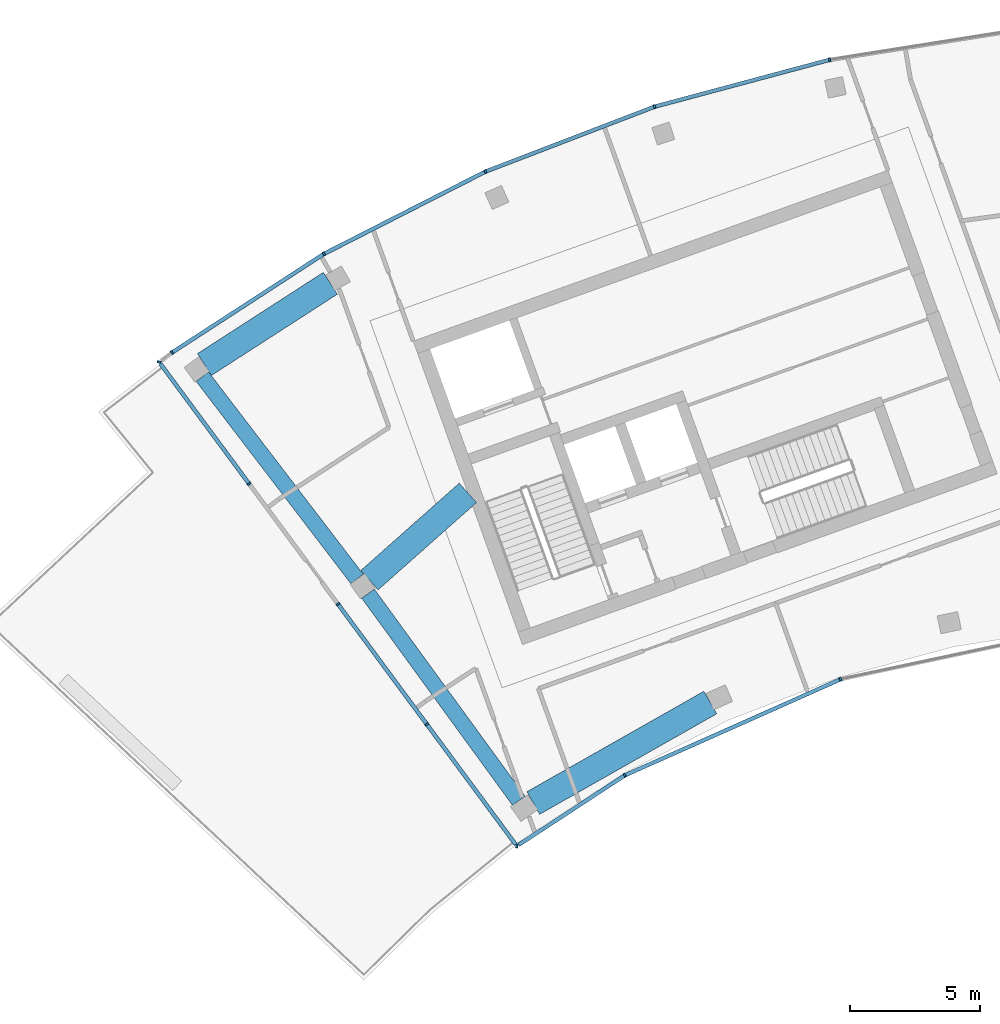
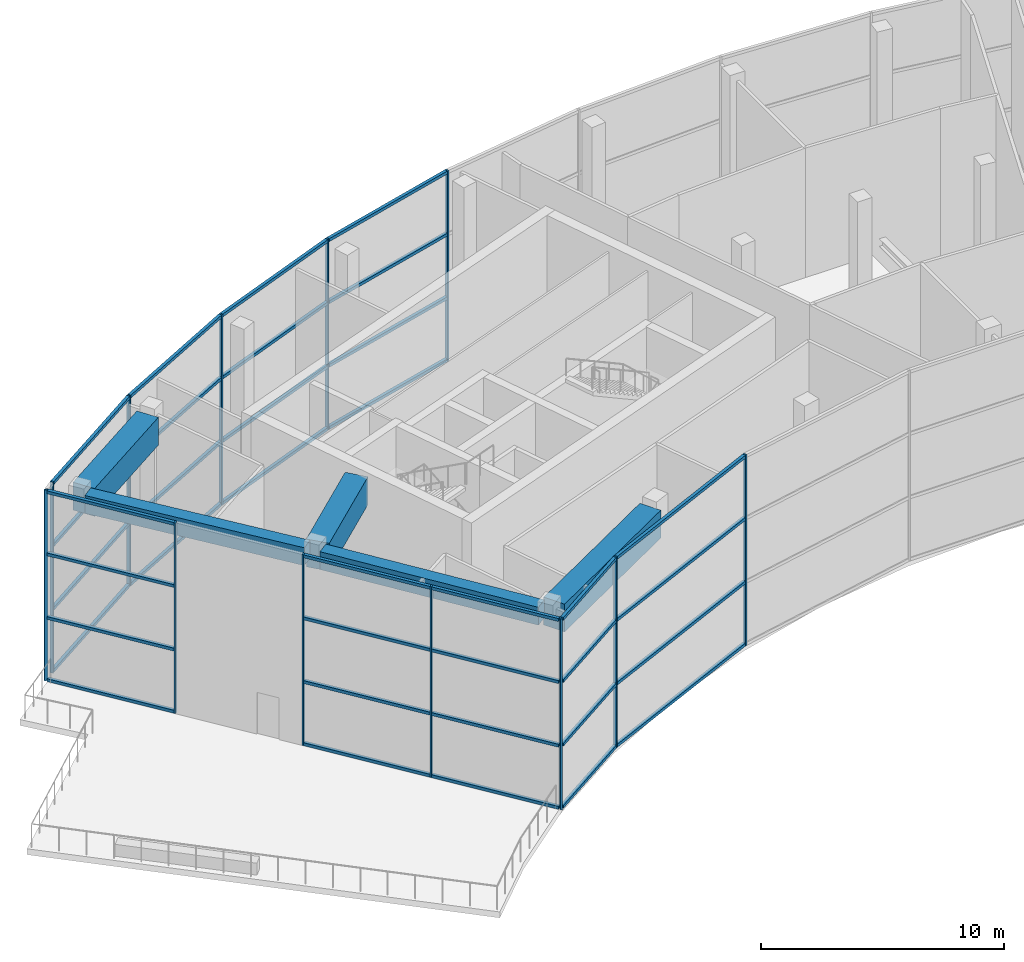
# One storey, part 4 of 20: 48 members, 5 beams, 3 elements without a shape of their own.
"""IFC4 building model written with IfcOpenShell, lengths in metres."""

from ifc_helpers import new_model, si_unit, direction, frame, origin, origin_2d, place, context, subcontext, project, spatial, rectangle, extrude, material, layer, layer_set, material_profile, profile_set, type_object, element, aggregate, save


model = new_model("IFC4")

# Units and contexts
model_context = context("Model", 3, precision=1e-05, world=origin(), true_north=direction((0.0, 1.0)))
body_context = subcontext(model_context, "Body", "Model", "MODEL_VIEW")
ifc_project = project(units=[si_unit("LENGTHUNIT", "METRE"), si_unit("AREAUNIT", "SQUARE_METRE"), si_unit("VOLUMEUNIT", "CUBIC_METRE"), si_unit("PLANEANGLEUNIT", "RADIAN"), si_unit("MASSUNIT", "GRAM", prefix="KILO")], contexts=[model_context])

# Site, building, storey
site_placement = place(None, origin())
site = spatial("IfcSite", under=ifc_project, at=site_placement, CompositionType="ELEMENT")
building_placement = place(site_placement, origin())
building = spatial("IfcBuilding", under=site, at=building_placement, Name="Stone Belt Terrace Tower", CompositionType="ELEMENT")
storey_placement = place(building_placement, frame((0.0, 0.0, 323.0)))
storey = spatial("IfcBuildingStorey", under=building, at=storey_placement, Name="L78", CompositionType="ELEMENT", Elevation=323.0)

# Curtain wall, members
ifc_material_1 = material(Name="Aluminium 6063-T6 anodised frame", Category="aluminium")
ifc_layer = layer(ifc_material_1, 0.14990234375)
ifc_layer_set = layer_set([ifc_layer], Name="CW-E conservatory and damper hall curtain wall")
curtain_wall_type = type_object("IfcCurtainWallType", Name="CW-E conservatory and damper hall curtain wall", PredefinedType="NOTDEFINED", material=ifc_layer_set)
curtain_wall_1_placement = place(storey_placement, origin())
curtain_wall_1 = element("IfcCurtainWall", 1, at=curtain_wall_1_placement, inside=storey, type_object=curtain_wall_type, Name="CW-E concave face L78", PredefinedType="NOTDEFINED")
ifc_material_profile_1 = material_profile(ifc_material_1, rectangle(XDim=0.14990234375, YDim=0.080078125, at=origin_2d()), Name="Aluminium 6063-T6 80x150")
ifc_profile_set_1 = profile_set([ifc_material_profile_1], Name="Aluminium 6063-T6 anodised frame")
member_type_1 = type_object("IfcMemberType", Name="CW-E mullion 80 x 150", PredefinedType="MULLION", material=ifc_profile_set_1)
member_1_placement = place(storey_placement, frame((-25.869140625, 34.8837890625, 0.0), z_axis=(0.0, 0.0, 1.0), x_axis=(0.17629945197, 0.984336580259, 0.0)))
member_1 = element("IfcMember", 2, at=member_1_placement, type_object=member_type_1, Name="CW-E mullion 1", PredefinedType="MULLION", context=body_context, shape_type="SweptSolid", body=[
    extrude(rectangle(XDim=0.14990234375, YDim=0.080078125, at=origin_2d()), origin(), (0.0, 0.0, 1.0), 9.60009765625),
])
member_2_placement = place(storey_placement, frame((-21.7138671875, 37.60595703125, 0.0), z_axis=(0.0, 0.0, 1.0), x_axis=(-0.478925338091, 0.877855637639, 0.0)))
member_2 = element("IfcMember", 3, at=member_2_placement, type_object=member_type_1, Name="CW-E mullion 2", PredefinedType="MULLION", context=body_context, shape_type="SweptSolid", body=[
    extrude(rectangle(XDim=0.14990234375, YDim=0.080078125, at=origin_2d()), origin(), (0.0, 0.0, 1.0), 9.60009765625),
])
member_3_placement = place(storey_placement, frame((-13.4189453125, 41.29931640625, 0.0), z_axis=(0.0, 0.0, 1.0), x_axis=(-0.309016994375, 0.951056516295, 0.0)))
member_3 = element("IfcMember", 4, at=member_3_placement, type_object=member_type_1, Name="CW-E mullion 3", PredefinedType="MULLION", context=body_context, shape_type="SweptSolid", body=[
    extrude(rectangle(XDim=0.14990234375, YDim=0.080078125, at=origin_2d()), origin(), (0.0, 0.0, 1.0), 9.60009765625),
])

curtain_wall_2_placement = place(storey_placement, origin())
curtain_wall_2 = element("IfcCurtainWall", 5, at=curtain_wall_2_placement, inside=storey, type_object=curtain_wall_type, Name="CW-E convex face L78", PredefinedType="NOTDEFINED")
member_4_placement = place(storey_placement, frame((-13.841796875, 65.120361328125, 0.0), z_axis=(0.0, 0.0, 1.0), x_axis=(0.207911690818, -0.978147600734, 0.0)))
member_4 = element("IfcMember", 6, at=member_4_placement, type_object=member_type_1, Name="CW-E mullion 10", PredefinedType="MULLION", context=body_context, shape_type="SweptSolid", body=[
    extrude(rectangle(XDim=0.14990234375, YDim=0.080078125, at=origin_2d()), origin(), (0.0, 0.0, 1.0), 9.60009765625),
])
member_5_placement = place(storey_placement, frame((-20.57275390625, 63.316650390625, 0.0), z_axis=(0.0, 0.0, 1.0), x_axis=(0.309016994375, -0.951056516295, 0.0)))
member_5 = element("IfcMember", 7, at=member_5_placement, type_object=member_type_1, Name="CW-E mullion 11", PredefinedType="MULLION", context=body_context, shape_type="SweptSolid", body=[
    extrude(rectangle(XDim=0.14990234375, YDim=0.080078125, at=origin_2d()), origin(), (0.0, 0.0, 1.0), 9.60009765625),
])
member_6_placement = place(storey_placement, frame((-27.07861328125, 60.8193359375, 0.0), z_axis=(0.0, 0.0, 1.0), x_axis=(0.406736643076, -0.913545457643, 0.0)))
member_6 = element("IfcMember", 8, at=member_6_placement, type_object=member_type_1, Name="CW-E mullion 12", PredefinedType="MULLION", context=body_context, shape_type="SweptSolid", body=[
    extrude(rectangle(XDim=0.14990234375, YDim=0.080078125, at=origin_2d()), origin(), (0.0, 0.0, 1.0), 9.60009765625),
])
member_7_placement = place(storey_placement, frame((-33.28759765625, 57.65576171875, 0.0), z_axis=(0.0, 0.0, 1.0), x_axis=(0.5, -0.866025403784, 0.0)))
member_7 = element("IfcMember", 9, at=member_7_placement, type_object=member_type_1, Name="CW-E mullion 13", PredefinedType="MULLION", context=body_context, shape_type="SweptSolid", body=[
    extrude(rectangle(XDim=0.14990234375, YDim=0.080078125, at=origin_2d()), origin(), (0.0, 0.0, 1.0), 9.60009765625),
])
member_8_placement = place(storey_placement, frame((-39.13037109375, 53.861328125, 0.0), z_axis=(0.0, 0.0, 1.0), x_axis=(0.568062635751, -0.822985322994, 0.0)))
member_8 = element("IfcMember", 10, at=member_8_placement, type_object=member_type_1, Name="CW-E mullion 14", PredefinedType="MULLION", context=body_context, shape_type="SweptSolid", body=[
    extrude(rectangle(XDim=0.14990234375, YDim=0.080078125, at=origin_2d()), origin(), (0.0, 0.0, 1.0), 9.60009765625),
])

curtain_wall_3_placement = place(storey_placement, origin())
curtain_wall_3 = element("IfcCurtainWall", 11, at=curtain_wall_3_placement, inside=storey, type_object=curtain_wall_type, Name="CW-E end face L78", PredefinedType="NOTDEFINED")
member_9_placement = place(storey_placement, frame((-39.624267578125, 53.49951171875, 0.0), z_axis=(0.0, 0.0, 1.0), x_axis=(0.988614254338, -0.150472110772, 0.0)))
member_9 = element("IfcMember", 12, at=member_9_placement, type_object=member_type_1, Name="CW-E mullion 1", PredefinedType="MULLION", context=body_context, shape_type="SweptSolid", body=[
    extrude(rectangle(XDim=0.14990234375, YDim=0.080078125, at=origin_2d()), origin(), (0.0, 0.0, 1.0), 9.60009765625),
])
member_10_placement = place(storey_placement, frame((-36.16259765625, 48.814453125, 0.0), z_axis=(0.0, 0.0, 1.0), x_axis=(0.804262069781, 0.594274787545, 0.0)))
member_10 = element("IfcMember", 13, at=member_10_placement, type_object=member_type_1, Name="CW-E mullion 2", PredefinedType="MULLION", context=body_context, shape_type="SweptSolid", body=[
    extrude(rectangle(XDim=0.14990234375, YDim=0.080078125, at=origin_2d()), origin(), (0.0, 0.0, 1.0), 9.60009765625),
])
member_11_placement = place(storey_placement, frame((-32.745361328125, 44.18994140625, 0.0), z_axis=(0.0, 0.0, 1.0), x_axis=(0.804262069781, 0.594274787545, 0.0)))
member_11 = element("IfcMember", 14, at=member_11_placement, type_object=member_type_1, Name="CW-E mullion 3", PredefinedType="MULLION", context=body_context, shape_type="SweptSolid", body=[
    extrude(rectangle(XDim=0.14990234375, YDim=0.080078125, at=origin_2d()), origin(), (0.0, 0.0, 1.0), 9.60009765625),
])
member_12_placement = place(storey_placement, frame((-29.328369140625, 39.5654296875, 0.0), z_axis=(0.0, 0.0, 1.0), x_axis=(0.804262069781, 0.594274787545, 0.0)))
member_12 = element("IfcMember", 15, at=member_12_placement, type_object=member_type_1, Name="CW-E mullion 4", PredefinedType="MULLION", context=body_context, shape_type="SweptSolid", body=[
    extrude(rectangle(XDim=0.14990234375, YDim=0.080078125, at=origin_2d()), origin(), (0.0, 0.0, 1.0), 9.60009765625),
])

# Member
ifc_material_profile_2 = material_profile(ifc_material_1, rectangle(XDim=0.14990234375, YDim=0.14990234375, at=origin_2d()), Name="Aluminium 6063-T6 150x150")
ifc_profile_set_2 = profile_set([ifc_material_profile_2], Name="Aluminium 6063-T6 anodised frame")
member_type_2 = type_object("IfcMemberType", Name="CW-E transom 150 x 150", PredefinedType="USERDEFINED", material=ifc_profile_set_2)
member_13_placement = place(storey_placement, frame((-25.8017578125, 34.927978515625, 0.074951171875), z_axis=(0.836477073014, 0.548001921824, 0.0), x_axis=(-0.548001921824, 0.836477073014, 0.0)))
member_13 = element("IfcMember", 16, at=member_13_placement, type_object=member_type_2, Name="CW-E transom 1.1", ObjectType="TRANSOM", PredefinedType="USERDEFINED", context=body_context, shape_type="SweptSolid", body=[
    extrude(rectangle(XDim=0.14990234375, YDim=0.14990234375, at=origin_2d()), origin(), (0.0, 0.0, 1.0), 4.8408203125),
])

member_14_placement = place(storey_placement, frame((-25.8017578125, 34.927978515625, 3.199951171875), z_axis=(0.836477073014, 0.548001921824, 0.0), x_axis=(-0.548001921824, 0.836477073014, 0.0)))
member_14 = element("IfcMember", 17, at=member_14_placement, type_object=member_type_2, Name="CW-E transom 1.2", ObjectType="TRANSOM", PredefinedType="USERDEFINED", context=body_context, shape_type="SweptSolid", body=[
    extrude(rectangle(XDim=0.14990234375, YDim=0.14990234375, at=origin_2d()), origin(), (0.0, 0.0, 1.0), 4.8408203125),
])

member_15_placement = place(storey_placement, frame((-25.8017578125, 34.927978515625, 6.39990234375), z_axis=(0.836477073014, 0.548001921824, 0.0), x_axis=(-0.548001921824, 0.836477073014, 0.0)))
member_15 = element("IfcMember", 18, at=member_15_placement, type_object=member_type_2, Name="CW-E transom 1.3", ObjectType="TRANSOM", PredefinedType="USERDEFINED", context=body_context, shape_type="SweptSolid", body=[
    extrude(rectangle(XDim=0.14990234375, YDim=0.14990234375, at=origin_2d()), origin(), (0.0, 0.0, 1.0), 4.8408203125),
])

member_16_placement = place(storey_placement, frame((-25.8017578125, 34.927978515625, 9.52490234375), z_axis=(0.836477073014, 0.548001921824, 0.0), x_axis=(-0.548001921824, 0.836477073014, 0.0)))
member_16 = element("IfcMember", 19, at=member_16_placement, type_object=member_type_2, Name="CW-E transom 1.4", ObjectType="TRANSOM", PredefinedType="USERDEFINED", context=body_context, shape_type="SweptSolid", body=[
    extrude(rectangle(XDim=0.14990234375, YDim=0.14990234375, at=origin_2d()), origin(), (0.0, 0.0, 1.0), 4.8408203125),
])

member_17_placement = place(storey_placement, frame((-21.672119140625, 37.624755859375, 0.074951171875), z_axis=(0.913552574201, 0.406720658648, 0.0), x_axis=(-0.406720658648, 0.913552574201, 0.0)))
member_17 = element("IfcMember", 20, at=member_17_placement, type_object=member_type_2, Name="CW-E transom 2.1", ObjectType="TRANSOM", PredefinedType="USERDEFINED", context=body_context, shape_type="SweptSolid", body=[
    extrude(rectangle(XDim=0.14990234375, YDim=0.14990234375, at=origin_2d()), origin(), (0.0, 0.0, 1.0), 8.986572265625),
])

member_18_placement = place(storey_placement, frame((-21.672119140625, 37.624755859375, 3.199951171875), z_axis=(0.913552574201, 0.406720658648, 0.0), x_axis=(-0.406720658648, 0.913552574201, 0.0)))
member_18 = element("IfcMember", 21, at=member_18_placement, type_object=member_type_2, Name="CW-E transom 2.2", ObjectType="TRANSOM", PredefinedType="USERDEFINED", context=body_context, shape_type="SweptSolid", body=[
    extrude(rectangle(XDim=0.14990234375, YDim=0.14990234375, at=origin_2d()), origin(), (0.0, 0.0, 1.0), 8.986572265625),
])

member_19_placement = place(storey_placement, frame((-21.672119140625, 37.624755859375, 6.39990234375), z_axis=(0.913552574201, 0.406720658648, 0.0), x_axis=(-0.406720658648, 0.913552574201, 0.0)))
member_19 = element("IfcMember", 22, at=member_19_placement, type_object=member_type_2, Name="CW-E transom 2.3", ObjectType="TRANSOM", PredefinedType="USERDEFINED", context=body_context, shape_type="SweptSolid", body=[
    extrude(rectangle(XDim=0.14990234375, YDim=0.14990234375, at=origin_2d()), origin(), (0.0, 0.0, 1.0), 8.986572265625),
])

member_20_placement = place(storey_placement, frame((-21.672119140625, 37.624755859375, 9.52490234375), z_axis=(0.913552574201, 0.406720658648, 0.0), x_axis=(-0.406720658648, 0.913552574201, 0.0)))
member_20 = element("IfcMember", 23, at=member_20_placement, type_object=member_type_2, Name="CW-E transom 2.4", ObjectType="TRANSOM", PredefinedType="USERDEFINED", context=body_context, shape_type="SweptSolid", body=[
    extrude(rectangle(XDim=0.14990234375, YDim=0.14990234375, at=origin_2d()), origin(), (0.0, 0.0, 1.0), 8.986572265625),
])

aggregate(curtain_wall_1, [member_1, member_2, member_3, member_13, member_14, member_15, member_16, member_17, member_18, member_19, member_20])

member_21_placement = place(storey_placement, frame((-13.884033203125, 65.10888671875, 0.074951171875), z_axis=(-0.96593158118, -0.2587975666, 0.0), x_axis=(0.2587975666, -0.96593158118, 0.0)))
member_21 = element("IfcMember", 24, at=member_21_placement, type_object=member_type_2, Name="CW-E transom 10.1", ObjectType="TRANSOM", PredefinedType="USERDEFINED", context=body_context, shape_type="SweptSolid", body=[
    extrude(rectangle(XDim=0.14990234375, YDim=0.14990234375, at=origin_2d()), origin(), (0.0, 0.0, 1.0), 6.880859375),
])

member_22_placement = place(storey_placement, frame((-13.884033203125, 65.10888671875, 3.199951171875), z_axis=(-0.96593158118, -0.2587975666, 0.0), x_axis=(0.2587975666, -0.96593158118, 0.0)))
member_22 = element("IfcMember", 25, at=member_22_placement, type_object=member_type_2, Name="CW-E transom 10.2", ObjectType="TRANSOM", PredefinedType="USERDEFINED", context=body_context, shape_type="SweptSolid", body=[
    extrude(rectangle(XDim=0.14990234375, YDim=0.14990234375, at=origin_2d()), origin(), (0.0, 0.0, 1.0), 6.880859375),
])

member_23_placement = place(storey_placement, frame((-13.884033203125, 65.10888671875, 6.39990234375), z_axis=(-0.96593158118, -0.2587975666, 0.0), x_axis=(0.2587975666, -0.96593158118, 0.0)))
member_23 = element("IfcMember", 26, at=member_23_placement, type_object=member_type_2, Name="CW-E transom 10.3", ObjectType="TRANSOM", PredefinedType="USERDEFINED", context=body_context, shape_type="SweptSolid", body=[
    extrude(rectangle(XDim=0.14990234375, YDim=0.14990234375, at=origin_2d()), origin(), (0.0, 0.0, 1.0), 6.880859375),
])

member_24_placement = place(storey_placement, frame((-13.884033203125, 65.10888671875, 9.52490234375), z_axis=(-0.96593158118, -0.2587975666, 0.0), x_axis=(0.2587975666, -0.96593158118, 0.0)))
member_24 = element("IfcMember", 27, at=member_24_placement, type_object=member_type_2, Name="CW-E transom 10.4", ObjectType="TRANSOM", PredefinedType="USERDEFINED", context=body_context, shape_type="SweptSolid", body=[
    extrude(rectangle(XDim=0.14990234375, YDim=0.14990234375, at=origin_2d()), origin(), (0.0, 0.0, 1.0), 6.880859375),
])

member_25_placement = place(storey_placement, frame((-20.61376953125, 63.301025390625, 0.074951171875), z_axis=(-0.933583162569, -0.358360821752, 0.0), x_axis=(0.358360821752, -0.933583162569, 0.0)))
member_25 = element("IfcMember", 28, at=member_25_placement, type_object=member_type_2, Name="CW-E transom 11.1", ObjectType="TRANSOM", PredefinedType="USERDEFINED", context=body_context, shape_type="SweptSolid", body=[
    extrude(rectangle(XDim=0.14990234375, YDim=0.14990234375, at=origin_2d()), origin(), (0.0, 0.0, 1.0), 6.880859375),
])

member_26_placement = place(storey_placement, frame((-20.61376953125, 63.301025390625, 3.199951171875), z_axis=(-0.933583162569, -0.358360821752, 0.0), x_axis=(0.358360821752, -0.933583162569, 0.0)))
member_26 = element("IfcMember", 29, at=member_26_placement, type_object=member_type_2, Name="CW-E transom 11.2", ObjectType="TRANSOM", PredefinedType="USERDEFINED", context=body_context, shape_type="SweptSolid", body=[
    extrude(rectangle(XDim=0.14990234375, YDim=0.14990234375, at=origin_2d()), origin(), (0.0, 0.0, 1.0), 6.880859375),
])

member_27_placement = place(storey_placement, frame((-20.61376953125, 63.301025390625, 6.39990234375), z_axis=(-0.933583162569, -0.358360821752, 0.0), x_axis=(0.358360821752, -0.933583162569, 0.0)))
member_27 = element("IfcMember", 30, at=member_27_placement, type_object=member_type_2, Name="CW-E transom 11.3", ObjectType="TRANSOM", PredefinedType="USERDEFINED", context=body_context, shape_type="SweptSolid", body=[
    extrude(rectangle(XDim=0.14990234375, YDim=0.14990234375, at=origin_2d()), origin(), (0.0, 0.0, 1.0), 6.880859375),
])

member_28_placement = place(storey_placement, frame((-20.61376953125, 63.301025390625, 9.52490234375), z_axis=(-0.933583162569, -0.358360821752, 0.0), x_axis=(0.358360821752, -0.933583162569, 0.0)))
member_28 = element("IfcMember", 31, at=member_28_placement, type_object=member_type_2, Name="CW-E transom 11.4", ObjectType="TRANSOM", PredefinedType="USERDEFINED", context=body_context, shape_type="SweptSolid", body=[
    extrude(rectangle(XDim=0.14990234375, YDim=0.14990234375, at=origin_2d()), origin(), (0.0, 0.0, 1.0), 6.880859375),
])

member_29_placement = place(storey_placement, frame((-27.11767578125, 60.799560546875, 0.074951171875), z_axis=(-0.890995086377, -0.454012947009, 0.0), x_axis=(0.454012947009, -0.890995086377, 0.0)))
member_29 = element("IfcMember", 32, at=member_29_placement, type_object=member_type_2, Name="CW-E transom 12.1", ObjectType="TRANSOM", PredefinedType="USERDEFINED", context=body_context, shape_type="SweptSolid", body=[
    extrude(rectangle(XDim=0.14990234375, YDim=0.14990234375, at=origin_2d()), origin(), (0.0, 0.0, 1.0), 6.880859375),
])

member_30_placement = place(storey_placement, frame((-27.11767578125, 60.799560546875, 3.199951171875), z_axis=(-0.890995086377, -0.454012947009, 0.0), x_axis=(0.454012947009, -0.890995086377, 0.0)))
member_30 = element("IfcMember", 33, at=member_30_placement, type_object=member_type_2, Name="CW-E transom 12.2", ObjectType="TRANSOM", PredefinedType="USERDEFINED", context=body_context, shape_type="SweptSolid", body=[
    extrude(rectangle(XDim=0.14990234375, YDim=0.14990234375, at=origin_2d()), origin(), (0.0, 0.0, 1.0), 6.880859375),
])

member_31_placement = place(storey_placement, frame((-27.11767578125, 60.799560546875, 6.39990234375), z_axis=(-0.890995086377, -0.454012947009, 0.0), x_axis=(0.454012947009, -0.890995086377, 0.0)))
member_31 = element("IfcMember", 34, at=member_31_placement, type_object=member_type_2, Name="CW-E transom 12.3", ObjectType="TRANSOM", PredefinedType="USERDEFINED", context=body_context, shape_type="SweptSolid", body=[
    extrude(rectangle(XDim=0.14990234375, YDim=0.14990234375, at=origin_2d()), origin(), (0.0, 0.0, 1.0), 6.880859375),
])

member_32_placement = place(storey_placement, frame((-27.11767578125, 60.799560546875, 9.52490234375), z_axis=(-0.890995086377, -0.454012947009, 0.0), x_axis=(0.454012947009, -0.890995086377, 0.0)))
member_32 = element("IfcMember", 35, at=member_32_placement, type_object=member_type_2, Name="CW-E transom 12.4", ObjectType="TRANSOM", PredefinedType="USERDEFINED", context=body_context, shape_type="SweptSolid", body=[
    extrude(rectangle(XDim=0.14990234375, YDim=0.14990234375, at=origin_2d()), origin(), (0.0, 0.0, 1.0), 6.880859375),
])

member_33_placement = place(storey_placement, frame((-33.324462890625, 57.6318359375, 0.074951171875), z_axis=(-0.838660808913, -0.544654062312, 0.0), x_axis=(0.544654062312, -0.838660808913, 0.0)))
member_33 = element("IfcMember", 36, at=member_33_placement, type_object=member_type_2, Name="CW-E transom 13.1", ObjectType="TRANSOM", PredefinedType="USERDEFINED", context=body_context, shape_type="SweptSolid", body=[
    extrude(rectangle(XDim=0.14990234375, YDim=0.14990234375, at=origin_2d()), origin(), (0.0, 0.0, 1.0), 6.880615234375),
])

member_34_placement = place(storey_placement, frame((-33.324462890625, 57.6318359375, 3.199951171875), z_axis=(-0.838660808913, -0.544654062312, 0.0), x_axis=(0.544654062312, -0.838660808913, 0.0)))
member_34 = element("IfcMember", 37, at=member_34_placement, type_object=member_type_2, Name="CW-E transom 13.2", ObjectType="TRANSOM", PredefinedType="USERDEFINED", context=body_context, shape_type="SweptSolid", body=[
    extrude(rectangle(XDim=0.14990234375, YDim=0.14990234375, at=origin_2d()), origin(), (0.0, 0.0, 1.0), 6.880615234375),
])

member_35_placement = place(storey_placement, frame((-33.324462890625, 57.6318359375, 6.39990234375), z_axis=(-0.838660808913, -0.544654062312, 0.0), x_axis=(0.544654062312, -0.838660808913, 0.0)))
member_35 = element("IfcMember", 38, at=member_35_placement, type_object=member_type_2, Name="CW-E transom 13.3", ObjectType="TRANSOM", PredefinedType="USERDEFINED", context=body_context, shape_type="SweptSolid", body=[
    extrude(rectangle(XDim=0.14990234375, YDim=0.14990234375, at=origin_2d()), origin(), (0.0, 0.0, 1.0), 6.880615234375),
])

member_36_placement = place(storey_placement, frame((-33.324462890625, 57.6318359375, 9.52490234375), z_axis=(-0.838660808913, -0.544654062312, 0.0), x_axis=(0.544654062312, -0.838660808913, 0.0)))
member_36 = element("IfcMember", 39, at=member_36_placement, type_object=member_type_2, Name="CW-E transom 13.4", ObjectType="TRANSOM", PredefinedType="USERDEFINED", context=body_context, shape_type="SweptSolid", body=[
    extrude(rectangle(XDim=0.14990234375, YDim=0.14990234375, at=origin_2d()), origin(), (0.0, 0.0, 1.0), 6.880615234375),
])

aggregate(curtain_wall_2, [member_4, member_5, member_6, member_7, member_8, member_21, member_22, member_23, member_24, member_25, member_26, member_27, member_28, member_29, member_30, member_31, member_32, member_33, member_34, member_35, member_36])

member_37_placement = place(storey_placement, frame((-39.575927734375, 53.43408203125, 0.074951171875), z_axis=(0.594252654573, -0.804278423515, 0.0), x_axis=(0.804278423515, 0.594252654573, 0.0)))
member_37 = element("IfcMember", 40, at=member_37_placement, type_object=member_type_2, Name="CW-E transom 1.1", ObjectType="TRANSOM", PredefinedType="USERDEFINED", context=body_context, shape_type="SweptSolid", body=[
    extrude(rectangle(XDim=0.14990234375, YDim=0.14990234375, at=origin_2d()), origin(), (0.0, 0.0, 1.0), 5.7041015625),
])

member_38_placement = place(storey_placement, frame((-39.575927734375, 53.43408203125, 3.199951171875), z_axis=(0.594252654573, -0.804278423515, 0.0), x_axis=(0.804278423515, 0.594252654573, 0.0)))
member_38 = element("IfcMember", 41, at=member_38_placement, type_object=member_type_2, Name="CW-E transom 1.2", ObjectType="TRANSOM", PredefinedType="USERDEFINED", context=body_context, shape_type="SweptSolid", body=[
    extrude(rectangle(XDim=0.14990234375, YDim=0.14990234375, at=origin_2d()), origin(), (0.0, 0.0, 1.0), 5.7041015625),
])

member_39_placement = place(storey_placement, frame((-39.575927734375, 53.43408203125, 6.39990234375), z_axis=(0.594252654573, -0.804278423515, 0.0), x_axis=(0.804278423515, 0.594252654573, 0.0)))
member_39 = element("IfcMember", 42, at=member_39_placement, type_object=member_type_2, Name="CW-E transom 1.3", ObjectType="TRANSOM", PredefinedType="USERDEFINED", context=body_context, shape_type="SweptSolid", body=[
    extrude(rectangle(XDim=0.14990234375, YDim=0.14990234375, at=origin_2d()), origin(), (0.0, 0.0, 1.0), 5.7041015625),
])

member_40_placement = place(storey_placement, frame((-39.575927734375, 53.43408203125, 9.52490234375), z_axis=(0.594252654573, -0.804278423515, 0.0), x_axis=(0.804278423515, 0.594252654573, 0.0)))
member_40 = element("IfcMember", 43, at=member_40_placement, type_object=member_type_2, Name="CW-E transom 1.4", ObjectType="TRANSOM", PredefinedType="USERDEFINED", context=body_context, shape_type="SweptSolid", body=[
    extrude(rectangle(XDim=0.14990234375, YDim=0.14990234375, at=origin_2d()), origin(), (0.0, 0.0, 1.0), 5.7041015625),
])

member_41_placement = place(storey_placement, frame((-32.7216796875, 44.15771484375, 0.074951171875), z_axis=(0.5942736216, -0.804262931305, 0.0), x_axis=(0.804262931305, 0.5942736216, 0.0)))
member_41 = element("IfcMember", 44, at=member_41_placement, type_object=member_type_2, Name="CW-E transom 3.1", ObjectType="TRANSOM", PredefinedType="USERDEFINED", context=body_context, shape_type="SweptSolid", body=[
    extrude(rectangle(XDim=0.14990234375, YDim=0.14990234375, at=origin_2d()), origin(), (0.0, 0.0, 1.0), 5.670166015625),
])

member_42_placement = place(storey_placement, frame((-32.7216796875, 44.15771484375, 3.199951171875), z_axis=(0.5942736216, -0.804262931305, 0.0), x_axis=(0.804262931305, 0.5942736216, 0.0)))
member_42 = element("IfcMember", 45, at=member_42_placement, type_object=member_type_2, Name="CW-E transom 3.2", ObjectType="TRANSOM", PredefinedType="USERDEFINED", context=body_context, shape_type="SweptSolid", body=[
    extrude(rectangle(XDim=0.14990234375, YDim=0.14990234375, at=origin_2d()), origin(), (0.0, 0.0, 1.0), 5.670166015625),
])

member_43_placement = place(storey_placement, frame((-32.7216796875, 44.15771484375, 6.39990234375), z_axis=(0.5942736216, -0.804262931305, 0.0), x_axis=(0.804262931305, 0.5942736216, 0.0)))
member_43 = element("IfcMember", 46, at=member_43_placement, type_object=member_type_2, Name="CW-E transom 3.3", ObjectType="TRANSOM", PredefinedType="USERDEFINED", context=body_context, shape_type="SweptSolid", body=[
    extrude(rectangle(XDim=0.14990234375, YDim=0.14990234375, at=origin_2d()), origin(), (0.0, 0.0, 1.0), 5.670166015625),
])

member_44_placement = place(storey_placement, frame((-32.7216796875, 44.15771484375, 9.52490234375), z_axis=(0.5942736216, -0.804262931305, 0.0), x_axis=(0.804262931305, 0.5942736216, 0.0)))
member_44 = element("IfcMember", 47, at=member_44_placement, type_object=member_type_2, Name="CW-E transom 3.4", ObjectType="TRANSOM", PredefinedType="USERDEFINED", context=body_context, shape_type="SweptSolid", body=[
    extrude(rectangle(XDim=0.14990234375, YDim=0.14990234375, at=origin_2d()), origin(), (0.0, 0.0, 1.0), 5.670166015625),
])

member_45_placement = place(storey_placement, frame((-29.3046875, 39.533203125, 0.074951171875), z_axis=(0.594297126131, -0.804245563166, 0.0), x_axis=(0.804245563166, 0.594297126131, 0.0)))
member_45 = element("IfcMember", 48, at=member_45_placement, type_object=member_type_2, Name="CW-E transom 4.1", ObjectType="TRANSOM", PredefinedType="USERDEFINED", context=body_context, shape_type="SweptSolid", body=[
    extrude(rectangle(XDim=0.14990234375, YDim=0.14990234375, at=origin_2d()), origin(), (0.0, 0.0, 1.0), 5.700439453125),
])

member_46_placement = place(storey_placement, frame((-29.3046875, 39.533203125, 3.199951171875), z_axis=(0.594297126131, -0.804245563166, 0.0), x_axis=(0.804245563166, 0.594297126131, 0.0)))
member_46 = element("IfcMember", 49, at=member_46_placement, type_object=member_type_2, Name="CW-E transom 4.2", ObjectType="TRANSOM", PredefinedType="USERDEFINED", context=body_context, shape_type="SweptSolid", body=[
    extrude(rectangle(XDim=0.14990234375, YDim=0.14990234375, at=origin_2d()), origin(), (0.0, 0.0, 1.0), 5.700439453125),
])

member_47_placement = place(storey_placement, frame((-29.3046875, 39.533203125, 6.39990234375), z_axis=(0.594297126131, -0.804245563166, 0.0), x_axis=(0.804245563166, 0.594297126131, 0.0)))
member_47 = element("IfcMember", 50, at=member_47_placement, type_object=member_type_2, Name="CW-E transom 4.3", ObjectType="TRANSOM", PredefinedType="USERDEFINED", context=body_context, shape_type="SweptSolid", body=[
    extrude(rectangle(XDim=0.14990234375, YDim=0.14990234375, at=origin_2d()), origin(), (0.0, 0.0, 1.0), 5.700439453125),
])

member_48_placement = place(storey_placement, frame((-29.3046875, 39.533203125, 9.52490234375), z_axis=(0.594297126131, -0.804245563166, 0.0), x_axis=(0.804245563166, 0.594297126131, 0.0)))
member_48 = element("IfcMember", 51, at=member_48_placement, type_object=member_type_2, Name="CW-E transom 4.4", ObjectType="TRANSOM", PredefinedType="USERDEFINED", context=body_context, shape_type="SweptSolid", body=[
    extrude(rectangle(XDim=0.14990234375, YDim=0.14990234375, at=origin_2d()), origin(), (0.0, 0.0, 1.0), 5.700439453125),
])

aggregate(curtain_wall_3, [member_9, member_10, member_11, member_12, member_37, member_38, member_39, member_40, member_41, member_42, member_43, member_44, member_45, member_46, member_47, member_48])

# Beams
ifc_material_2 = material(Name="Concrete B60", Category="concrete")
ifc_material_profile_3 = material_profile(ifc_material_2, rectangle(XDim=0.60009765625, YDim=0.89990234375, at=origin_2d()), Name="RC 600x900")
ifc_profile_set_3 = profile_set([ifc_material_profile_3], Name="Concrete B60")
beam_type_1 = type_object("IfcBeamType", Name="Edge beam RC 600x900 B60", PredefinedType="SPANDREL", material=ifc_profile_set_3)
beam_1_placement = place(storey_placement, frame((-25.791259765625, 36.625, 8.800048828125), z_axis=(-0.588548681957, 0.808461779534, 0.0), x_axis=(-0.808461779534, -0.588548681957, 0.0)))
element("IfcBeam", 52, at=beam_1_placement, inside=storey, type_object=beam_type_1, Name="Edge beam L78 A P to Q", PredefinedType="SPANDREL", context=body_context, shape_type="SweptSolid", body=[
    extrude(rectangle(XDim=0.60009765625, YDim=0.89990234375, at=origin_2d()), origin(), (0.0, 0.0, 1.0), 9.85595703125),
])
beam_2_placement = place(storey_placement, frame((-32.0107421875, 45.154541015625, 8.800048828125), z_axis=(-0.607610158673, 0.794235415401, 0.0), x_axis=(-0.794235415401, -0.607610158673, 0.0)))
element("IfcBeam", 53, at=beam_2_placement, inside=storey, type_object=beam_type_1, Name="Edge beam L78 A Q to R", PredefinedType="SPANDREL", context=body_context, shape_type="SweptSolid", body=[
    extrude(rectangle(XDim=0.60009765625, YDim=0.89990234375, at=origin_2d()), origin(), (0.0, 0.0, 1.0), 9.79443359375),
])
ifc_material_3 = material(Name="Concrete B80", Category="concrete")
ifc_material_profile_4 = material_profile(ifc_material_3, rectangle(XDim=1.0, YDim=1.39990234375, at=origin_2d()), Name="RC 1000x1400")
ifc_profile_set_4 = profile_set([ifc_material_profile_4], Name="Concrete B80")
beam_type_2 = type_object("IfcBeamType", Name="Transfer beam RC 1000x1400 B80", PredefinedType="BEAM", material=ifc_profile_set_4)
beam_3_placement = place(storey_placement, frame((-25.23583984375, 36.54052734375, 8.550048828125), z_axis=(0.869724627032, 0.49353730673, 0.0), x_axis=(-0.49353730673, 0.869724627032, 0.0)))
element("IfcBeam", 54, at=beam_3_placement, inside=storey, type_object=beam_type_2, Name="Transfer beam L78 PPA-P18", PredefinedType="BEAM", context=body_context, shape_type="SweptSolid", body=[
    extrude(rectangle(XDim=1.0, YDim=1.39990234375, at=origin_2d()), origin(), (0.0, 0.0, 1.0), 7.82861328125),
])
beam_4_placement = place(storey_placement, frame((-31.53466796875, 45.110107421875, 8.550048828125), z_axis=(0.74810671963, 0.663578432473, 0.0), x_axis=(-0.663578432473, 0.74810671963, 0.0)))
element("IfcBeam", 55, at=beam_4_placement, inside=storey, type_object=beam_type_2, Name="Transfer beam L78 QQA-WAw", PredefinedType="BEAM", context=body_context, shape_type="SweptSolid", body=[
    extrude(rectangle(XDim=1.0, YDim=1.39990234375, at=origin_2d()), origin(), (0.0, 0.0, 1.0), 5.057373046875),
])
beam_5_placement = place(storey_placement, frame((-37.880126953125, 53.401611328125, 8.550048828125), z_axis=(0.840307234169, 0.542110461257, 0.0), x_axis=(-0.542110461257, 0.840307234169, 0.0)))
element("IfcBeam", 56, at=beam_5_placement, inside=storey, type_object=beam_type_2, Name="Transfer beam L78 RRA-R17", PredefinedType="BEAM", context=body_context, shape_type="SweptSolid", body=[
    extrude(rectangle(XDim=1.0, YDim=1.39990234375, at=origin_2d()), origin(), (0.0, 0.0, 1.0), 5.761474609375),
])

save(model, "model.ifc")
